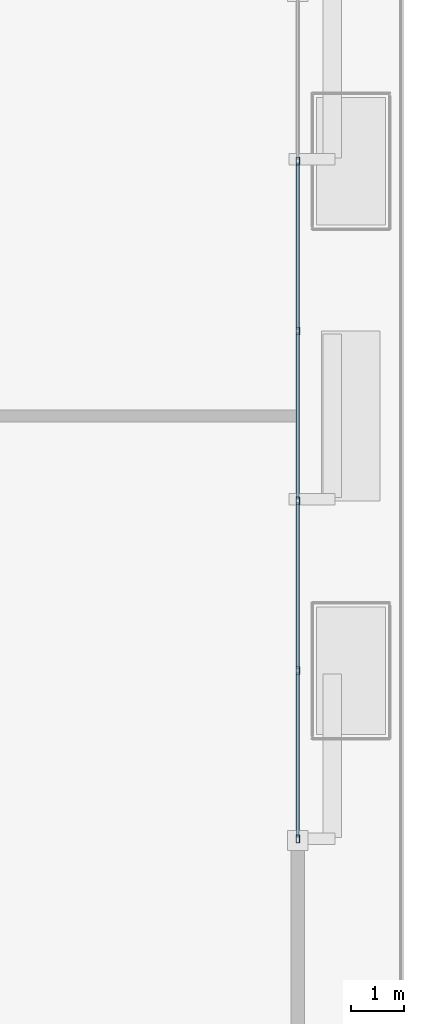
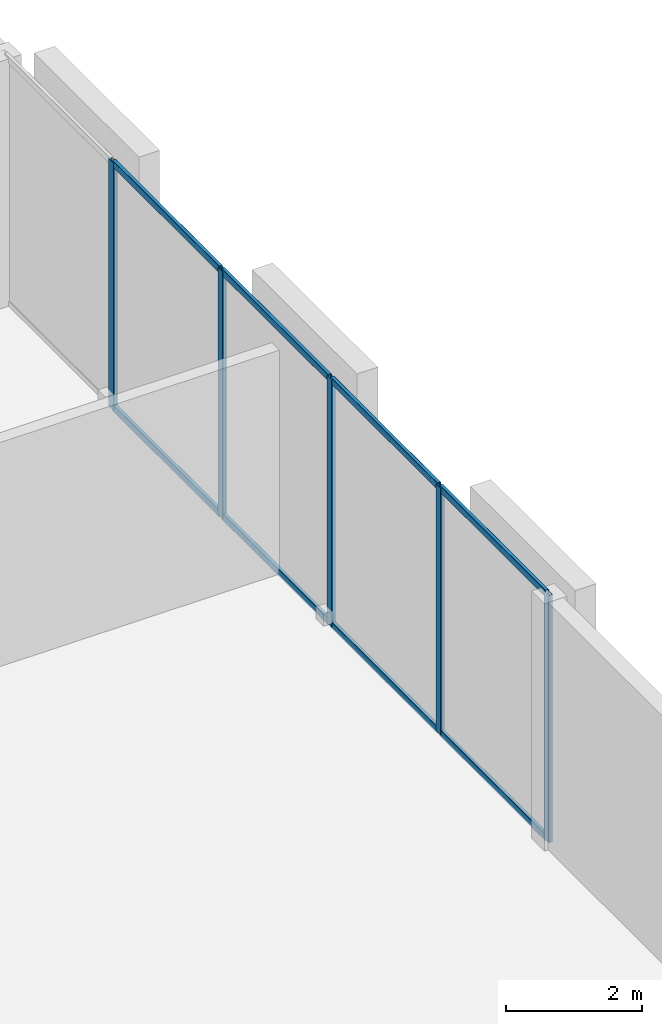
# One storey, part 6 of 16: 13 members, 1 element without a shape of its own.
"""IFC4 building model written with IfcOpenShell, lengths in metres."""

import ifcopenshell
import ifcopenshell.guid

model = None  # the IFC model being written
_history = None  # IfcOwnerHistory: only IFC2X3 demands one
_inside = {}  # id of a spatial element -> (the spatial element, [elements in it])
_under = {}  # id of a project, library or spatial element -> (it, [spatial elements below it])
_declared = {}  # id of a project -> (the project, [libraries it declares])
_typed = {}  # id of a type object -> (the type object, [elements of that type])
_made_of = {}  # id of a material, layer set ... -> (it, [elements and type objects made of it])


def new_model(schema):
    """Start an empty IFC model of exactly this schema.

    Asked for "IFC4X3", IfcOpenShell would pick the latest addendum, in which some entities
    have other attributes; the version numbers below select the first issue.
    IFC2X3 requires an IfcOwnerHistory on every rooted entity: one is made here for all.
    """
    global model, _history
    if schema == "IFC4X3":
        model = ifcopenshell.file(schema_version=(4, 3, 0, 0))
    else:
        model = ifcopenshell.file(schema=schema)
    _inside.clear()
    _under.clear()
    _declared.clear()
    _typed.clear()
    _made_of.clear()
    _history = None
    if model.schema == "IFC2X3":
        org = make("IfcOrganization", Name="unknown")
        user = make(
            "IfcPersonAndOrganization",
            ThePerson=make("IfcPerson", FamilyName="unknown"),
            TheOrganization=org,
        )
        app = make(
            "IfcApplication",
            ApplicationDeveloper=org,
            Version="unknown",
            ApplicationFullName="unknown",
            ApplicationIdentifier="unknown",
        )
        _history = make(
            "IfcOwnerHistory",
            OwningUser=user,
            OwningApplication=app,
            ChangeAction="ADDED",
            CreationDate=0,
        )
    return model


def make(cls, **values):
    """One entity of the class cls with the attributes given. An attribute that is None is left unset."""
    return model.create_entity(
        cls, **{name: value for name, value in values.items() if value is not None}
    )


def rooted(cls, **values):
    """An entity with a GlobalId (a new one), such as an element, a storey or a relation."""
    return make(cls, GlobalId=ifcopenshell.guid.new(), OwnerHistory=_history, **values)


def si_unit(unit_type, name, prefix=None):
    """IfcSIUnit, for example si_unit("LENGTHUNIT", "METRE", prefix="MILLI")."""
    return make("IfcSIUnit", UnitType=unit_type, Prefix=prefix, Name=name)


def assignment(units):
    """IfcUnitAssignment: the units of a project."""
    return None if units is None else make("IfcUnitAssignment", Units=units)


def point(xyz):
    """IfcCartesianPoint."""
    return None if xyz is None else make("IfcCartesianPoint", Coordinates=xyz)


def direction(xyz):
    """IfcDirection."""
    return None if xyz is None else make("IfcDirection", DirectionRatios=xyz)


def frame(location, z_axis=None, x_axis=None):
    """IfcAxis2Placement3D, a coordinate frame: its origin and axes. An axis left out is left unset."""
    return make(
        "IfcAxis2Placement3D",
        Location=point(location),
        Axis=direction(z_axis),
        RefDirection=direction(x_axis),
    )


def frame_2d(location, x_axis=None):
    """IfcAxis2Placement2D, a coordinate frame in the plane: its origin and x axis."""
    return make(
        "IfcAxis2Placement2D", Location=point(location), RefDirection=direction(x_axis)
    )


def origin():
    """The frame at (0, 0, 0) with its axes left unset."""
    return frame((0.0, 0.0, 0.0))


def origin_2d():
    """The frame at (0, 0) in the plane with its x axis left unset."""
    return frame_2d((0.0, 0.0))


def place(relative_to, where):
    """IfcLocalPlacement: puts the frame where relative to a parent placement (None: the world)."""
    return make(
        "IfcLocalPlacement", PlacementRelTo=relative_to, RelativePlacement=where
    )


def context(
    kind, dimensions, precision=None, world=None, true_north=None, identifier=None
):
    """IfcGeometricRepresentationContext, for example the 3D "Model" context."""
    return make(
        "IfcGeometricRepresentationContext",
        ContextIdentifier=identifier,
        ContextType=kind,
        CoordinateSpaceDimension=dimensions,
        Precision=precision,
        WorldCoordinateSystem=world,
        TrueNorth=true_north,
    )


def subcontext(parent, identifier, kind, view, scale=None):
    """IfcGeometricRepresentationSubContext, for example "Body" below "Model"."""
    return make(
        "IfcGeometricRepresentationSubContext",
        ContextIdentifier=identifier,
        ContextType=kind,
        ParentContext=parent,
        TargetScale=scale,
        TargetView=view,
    )


def project(units=None, contexts=None):
    """IfcProject with its units and contexts."""
    return rooted(
        "IfcProject",
        Name="project",
        RepresentationContexts=contexts,
        UnitsInContext=assignment(units),
    )


def spatial(cls, under=None, at=None, **own):
    """A site, building, storey or space (cls), placed at a placement, below another one or the project."""
    s = rooted(cls, ObjectPlacement=at, **own)
    if under is not None:
        _under.setdefault(under.id(), (under, []))[1].append(s)
    return s


def profile(cls, at=None, kind="AREA", **sizes):
    """A parametric profile (cls). Its sizes go by their IFC names, for example OverallWidth=200.0."""
    return make(cls, ProfileType=kind, Position=at, **sizes)


def hollow_rectangle(**sizes):
    """IfcRectangleHollowProfileDef."""
    return profile("IfcRectangleHollowProfileDef", **sizes)


def extrude(swept, where, along, depth):
    """IfcExtrudedAreaSolid: the profile swept, set in the frame where, extruded along a direction by depth."""
    return make(
        "IfcExtrudedAreaSolid",
        SweptArea=swept,
        Position=where,
        ExtrudedDirection=direction(along),
        Depth=depth,
    )


def shape(context_of_items, identifier, shape_type, items):
    """IfcShapeRepresentation: the items that make up one representation, for example the "Body"."""
    return make(
        "IfcShapeRepresentation",
        ContextOfItems=context_of_items,
        RepresentationIdentifier=identifier,
        RepresentationType=shape_type,
        Items=items,
    )


def material(Name=None, Category=None):
    """IfcMaterial."""
    return make("IfcMaterial", Name=Name, Category=Category)


def layer(
    of_material, thickness, ventilated=None, Name=None, Category=None, Priority=None
):
    """IfcMaterialLayer: one layer of a wall or slab, of a material (None: an air gap)."""
    return make(
        "IfcMaterialLayer",
        Material=of_material,
        LayerThickness=thickness,
        IsVentilated=ventilated,
        Name=Name,
        Category=Category,
        Priority=Priority,
    )


def layer_set(layers, Name=None):
    """IfcMaterialLayerSet."""
    return make("IfcMaterialLayerSet", MaterialLayers=layers, LayerSetName=Name)


def material_profile(
    of_material, cross_section, Name=None, Category=None, Priority=None
):
    """IfcMaterialProfile: a cross section and its material."""
    return make(
        "IfcMaterialProfile",
        Name=Name,
        Material=of_material,
        Profile=cross_section,
        Priority=Priority,
        Category=Category,
    )


def profile_set(profiles, Name=None, composite=None):
    """IfcMaterialProfileSet."""
    return make(
        "IfcMaterialProfileSet",
        Name=Name,
        MaterialProfiles=profiles,
        CompositeProfile=composite,
    )


def made_of(thing, what):
    """Note that an element or type object is made of a material, layer set ...; save() writes the relation."""
    if what is not None:
        _made_of.setdefault(what.id(), (what, []))[1].append(thing)
    return thing


def type_object(cls, material=None, **own):
    """A type object (cls), such as IfcWallType, which elements share."""
    return made_of(rooted(cls, **own), material)


def element(
    cls,
    number,
    at=None,
    inside=None,
    cuts=None,
    type_object=None,
    material=None,
    context=None,
    identifier="Body",
    shape_type=None,
    held_by="IfcProductDefinitionShape",
    body=None,
    shapes=None,
    **own,
):
    """One element of the class cls, such as IfcWall. Its Tag is "e" and its number.

    at: its placement. inside: the storey or other place that contains it. cuts: it is an
    opening in that element (IfcRelVoidsElement). A single representation is given by context,
    identifier, shape_type and body (its items); several are given by shapes. held_by: the class
    of the entity that holds the representations. save() writes the other relations.
    """
    e = rooted(cls, Tag="e%d" % number, ObjectPlacement=at, **own)
    if body is not None:
        shapes = [shape(context, identifier, shape_type, body)]
    if shapes is not None:
        e.Representation = make(held_by, Representations=shapes)
    if inside is not None:
        _inside.setdefault(inside.id(), (inside, []))[1].append(e)
    if cuts is not None:
        rooted(
            "IfcRelVoidsElement", RelatingBuildingElement=cuts, RelatedOpeningElement=e
        )
    if type_object is not None:
        _typed.setdefault(type_object.id(), (type_object, []))[1].append(e)
    return made_of(e, material)


def aggregate(whole, parts):
    """IfcRelAggregates: a whole, such as a stair, and the parts it consists of."""
    return rooted("IfcRelAggregates", RelatingObject=whole, RelatedObjects=parts)


def save(model, path):
    """Write the relations noted so far, then the file.

    IfcRelAggregates (storeys below a building ...), IfcRelContainedInSpatialStructure (elements
    in a storey), IfcRelDefinesByType, IfcRelAssociatesMaterial and IfcRelDeclares: one each for
    every whole, place, type object, material and project.
    """
    for whole, parts in _under.values():
        aggregate(whole, parts)
    for where, things in _inside.values():
        rooted(
            "IfcRelContainedInSpatialStructure",
            RelatedElements=things,
            RelatingStructure=where,
        )
    for kind, things in _typed.values():
        rooted("IfcRelDefinesByType", RelatedObjects=things, RelatingType=kind)
    for what, things in _made_of.values():
        rooted("IfcRelAssociatesMaterial", RelatedObjects=things, RelatingMaterial=what)
    for by, libraries in _declared.values():
        rooted("IfcRelDeclares", RelatingContext=by, RelatedDefinitions=libraries)
    model.write(path)


model = new_model("IFC4")

# Units and contexts
model_context = context("Model", 3, precision=1e-05, world=origin(), true_north=direction((0.0, 1.0)))
body_context = subcontext(model_context, "Body", "Model", "MODEL_VIEW")
ifc_project = project(units=[si_unit("LENGTHUNIT", "METRE"), si_unit("AREAUNIT", "SQUARE_METRE"), si_unit("VOLUMEUNIT", "CUBIC_METRE"), si_unit("PLANEANGLEUNIT", "RADIAN"), si_unit("MASSUNIT", "GRAM", prefix="KILO")], contexts=[model_context])

# Site, building, storey
site_placement = place(None, origin())
site = spatial("IfcSite", under=ifc_project, at=site_placement, CompositionType="ELEMENT")
building_placement = place(site_placement, origin())
building = spatial("IfcBuilding", under=site, at=building_placement, Name="An Khanh Terracotta Commons", CompositionType="ELEMENT")
storey_placement = place(building_placement, frame((0.0, 0.0, 10.050048828125)))
storey = spatial("IfcBuildingStorey", under=building, at=storey_placement, Name="L03", CompositionType="ELEMENT", Elevation=10.050048828125)

# Curtain wall, members
ifc_material = material(Name="Anodised Aluminium 6063-T6", Category="aluminium")
ifc_layer = layer(ifc_material, 0.179931640625, Name="Anodised Aluminium 6063-T6")
ifc_layer_set = layer_set([ifc_layer], Name="Anodised Aluminium 6063-T6")
curtain_wall_type = type_object("IfcCurtainWallType", Name="CW-SYS-01", PredefinedType="USERDEFINED", material=ifc_layer_set)
curtain_wall_placement = place(storey_placement, origin())
curtain_wall = element("IfcCurtainWall", 1, at=curtain_wall_placement, inside=storey, type_object=curtain_wall_type, Name="L03 CW-01 Unitised Curtain Wall CW-L03-EAST", ObjectType="UNITISED CURTAIN WALL", PredefinedType="USERDEFINED")
ifc_material_profile_1 = material_profile(ifc_material, hollow_rectangle(XDim=0.06494140625, YDim=0.14990234375, WallThickness=0.00390625, InnerFilletRadius=0.00390625, OuterFilletRadius=0.008056640625, at=origin_2d()), Name="RHS150x65x4")
ifc_profile_set_1 = profile_set([ifc_material_profile_1], Name="Anodised Aluminium 6063-T6")
member_type_1 = type_object("IfcMemberType", Name="CWM-RHS150x65x4", PredefinedType="MULLION", material=ifc_profile_set_1)
member_1_placement = place(storey_placement, frame((69.800048828125, 16.032470703125, 0.0), z_axis=(0.0, 0.0, 1.0), x_axis=(-1.0, 0.0, 0.0)))
member_1 = element("IfcMember", 2, at=member_1_placement, type_object=member_type_1, Name="CW-01 mullion 1", PredefinedType="MULLION", context=body_context, shape_type="SweptSolid", body=[
    extrude(hollow_rectangle(XDim=0.06494140625, YDim=0.14990234375, WallThickness=0.00390625, InnerFilletRadius=0.00390625, OuterFilletRadius=0.008056640625, at=origin_2d()), origin(), (0.0, 0.0, 1.0), 4.429931640625),
])
member_2_placement = place(storey_placement, frame((69.800048828125, 19.199951171875, 0.0), z_axis=(0.0, 0.0, 1.0), x_axis=(-1.0, 0.0, 0.0)))
member_2 = element("IfcMember", 3, at=member_2_placement, type_object=member_type_1, Name="CW-01 mullion 2", PredefinedType="MULLION", context=body_context, shape_type="SweptSolid", body=[
    extrude(hollow_rectangle(XDim=0.06494140625, YDim=0.14990234375, WallThickness=0.00390625, InnerFilletRadius=0.00390625, OuterFilletRadius=0.008056640625, at=origin_2d()), origin(), (0.0, 0.0, 1.0), 4.429931640625),
])
member_3_placement = place(storey_placement, frame((69.800048828125, 22.39990234375, 0.0), z_axis=(0.0, 0.0, 1.0), x_axis=(-1.0, 0.0, 0.0)))
member_3 = element("IfcMember", 4, at=member_3_placement, type_object=member_type_1, Name="CW-01 mullion 3", PredefinedType="MULLION", context=body_context, shape_type="SweptSolid", body=[
    extrude(hollow_rectangle(XDim=0.06494140625, YDim=0.14990234375, WallThickness=0.00390625, InnerFilletRadius=0.00390625, OuterFilletRadius=0.008056640625, at=origin_2d()), origin(), (0.0, 0.0, 1.0), 4.429931640625),
])
member_4_placement = place(storey_placement, frame((69.800048828125, 25.60009765625, 0.0), z_axis=(0.0, 0.0, 1.0), x_axis=(-1.0, 0.0, 0.0)))
member_4 = element("IfcMember", 5, at=member_4_placement, type_object=member_type_1, Name="CW-01 mullion 4", PredefinedType="MULLION", context=body_context, shape_type="SweptSolid", body=[
    extrude(hollow_rectangle(XDim=0.06494140625, YDim=0.14990234375, WallThickness=0.00390625, InnerFilletRadius=0.00390625, OuterFilletRadius=0.008056640625, at=origin_2d()), origin(), (0.0, 0.0, 1.0), 4.429931640625),
])
member_5_placement = place(storey_placement, frame((69.800048828125, 28.800048828125, 0.0), z_axis=(0.0, 0.0, 1.0), x_axis=(-1.0, 0.0, 0.0)))
member_5 = element("IfcMember", 6, at=member_5_placement, type_object=member_type_1, Name="CW-01 mullion 5", PredefinedType="MULLION", context=body_context, shape_type="SweptSolid", body=[
    extrude(hollow_rectangle(XDim=0.06494140625, YDim=0.14990234375, WallThickness=0.00390625, InnerFilletRadius=0.00390625, OuterFilletRadius=0.008056640625, at=origin_2d()), origin(), (0.0, 0.0, 1.0), 4.429931640625),
])
ifc_material_profile_2 = material_profile(ifc_material, hollow_rectangle(XDim=0.06005859375, YDim=0.1201171875, WallThickness=0.003662109375, InnerFilletRadius=0.003662109375, OuterFilletRadius=0.007080078125, at=origin_2d()), Name="RHS120x60x3.6")
ifc_profile_set_2 = profile_set([ifc_material_profile_2], Name="Anodised Aluminium 6063-T6")
member_type_2 = type_object("IfcMemberType", Name="CWT-RHS120x60x3.6", PredefinedType="USERDEFINED", material=ifc_profile_set_2)
member_6_placement = place(storey_placement, frame((69.800048828125, 16.06494140625, 0.030029296875), z_axis=(0.0, 1.0, 0.0), x_axis=(-1.0, 0.0, 0.0)))
member_6 = element("IfcMember", 7, at=member_6_placement, type_object=member_type_2, Name="CW-01 transom 1.1", ObjectType="TRANSOM", PredefinedType="USERDEFINED", context=body_context, shape_type="SweptSolid", body=[
    extrude(hollow_rectangle(XDim=0.06005859375, YDim=0.1201171875, WallThickness=0.003662109375, InnerFilletRadius=0.003662109375, OuterFilletRadius=0.007080078125, at=origin_2d()), origin(), (0.0, 0.0, 1.0), 3.1025390625),
])
member_7_placement = place(storey_placement, frame((69.800048828125, 16.06494140625, 4.39990234375), z_axis=(0.0, 1.0, 0.0), x_axis=(-1.0, 0.0, 0.0)))
member_7 = element("IfcMember", 8, at=member_7_placement, type_object=member_type_2, Name="CW-01 transom 1.2", ObjectType="TRANSOM", PredefinedType="USERDEFINED", context=body_context, shape_type="SweptSolid", body=[
    extrude(hollow_rectangle(XDim=0.06005859375, YDim=0.1201171875, WallThickness=0.003662109375, InnerFilletRadius=0.003662109375, OuterFilletRadius=0.007080078125, at=origin_2d()), origin(), (0.0, 0.0, 1.0), 3.1025390625),
])
member_8_placement = place(storey_placement, frame((69.800048828125, 19.232421875, 0.030029296875), z_axis=(0.0, 1.0, 0.0), x_axis=(-1.0, 0.0, 0.0)))
member_8 = element("IfcMember", 9, at=member_8_placement, type_object=member_type_2, Name="CW-01 transom 2.1", ObjectType="TRANSOM", PredefinedType="USERDEFINED", context=body_context, shape_type="SweptSolid", body=[
    extrude(hollow_rectangle(XDim=0.06005859375, YDim=0.1201171875, WallThickness=0.003662109375, InnerFilletRadius=0.003662109375, OuterFilletRadius=0.007080078125, at=origin_2d()), origin(), (0.0, 0.0, 1.0), 3.135009765625),
])
member_9_placement = place(storey_placement, frame((69.800048828125, 19.232421875, 4.39990234375), z_axis=(0.0, 1.0, 0.0), x_axis=(-1.0, 0.0, 0.0)))
member_9 = element("IfcMember", 10, at=member_9_placement, type_object=member_type_2, Name="CW-01 transom 2.2", ObjectType="TRANSOM", PredefinedType="USERDEFINED", context=body_context, shape_type="SweptSolid", body=[
    extrude(hollow_rectangle(XDim=0.06005859375, YDim=0.1201171875, WallThickness=0.003662109375, InnerFilletRadius=0.003662109375, OuterFilletRadius=0.007080078125, at=origin_2d()), origin(), (0.0, 0.0, 1.0), 3.135009765625),
])
member_10_placement = place(storey_placement, frame((69.800048828125, 22.4326171875, 0.030029296875), z_axis=(0.0, 1.0, 0.0), x_axis=(-1.0, 0.0, 0.0)))
member_10 = element("IfcMember", 11, at=member_10_placement, type_object=member_type_2, Name="CW-01 transom 3.1", ObjectType="TRANSOM", PredefinedType="USERDEFINED", context=body_context, shape_type="SweptSolid", body=[
    extrude(hollow_rectangle(XDim=0.06005859375, YDim=0.1201171875, WallThickness=0.003662109375, InnerFilletRadius=0.003662109375, OuterFilletRadius=0.007080078125, at=origin_2d()), origin(), (0.0, 0.0, 1.0), 3.134765625),
])
member_11_placement = place(storey_placement, frame((69.800048828125, 22.4326171875, 4.39990234375), z_axis=(0.0, 1.0, 0.0), x_axis=(-1.0, 0.0, 0.0)))
member_11 = element("IfcMember", 12, at=member_11_placement, type_object=member_type_2, Name="CW-01 transom 3.2", ObjectType="TRANSOM", PredefinedType="USERDEFINED", context=body_context, shape_type="SweptSolid", body=[
    extrude(hollow_rectangle(XDim=0.06005859375, YDim=0.1201171875, WallThickness=0.003662109375, InnerFilletRadius=0.003662109375, OuterFilletRadius=0.007080078125, at=origin_2d()), origin(), (0.0, 0.0, 1.0), 3.134765625),
])
member_12_placement = place(storey_placement, frame((69.800048828125, 25.632568359375, 0.030029296875), z_axis=(0.0, 1.0, 0.0), x_axis=(-1.0, 0.0, 0.0)))
member_12 = element("IfcMember", 13, at=member_12_placement, type_object=member_type_2, Name="CW-01 transom 4.1", ObjectType="TRANSOM", PredefinedType="USERDEFINED", context=body_context, shape_type="SweptSolid", body=[
    extrude(hollow_rectangle(XDim=0.06005859375, YDim=0.1201171875, WallThickness=0.003662109375, InnerFilletRadius=0.003662109375, OuterFilletRadius=0.007080078125, at=origin_2d()), origin(), (0.0, 0.0, 1.0), 3.135009765625),
])
member_13_placement = place(storey_placement, frame((69.800048828125, 25.632568359375, 4.39990234375), z_axis=(0.0, 1.0, 0.0), x_axis=(-1.0, 0.0, 0.0)))
member_13 = element("IfcMember", 14, at=member_13_placement, type_object=member_type_2, Name="CW-01 transom 4.2", ObjectType="TRANSOM", PredefinedType="USERDEFINED", context=body_context, shape_type="SweptSolid", body=[
    extrude(hollow_rectangle(XDim=0.06005859375, YDim=0.1201171875, WallThickness=0.003662109375, InnerFilletRadius=0.003662109375, OuterFilletRadius=0.007080078125, at=origin_2d()), origin(), (0.0, 0.0, 1.0), 3.135009765625),
])
aggregate(curtain_wall, [member_1, member_2, member_3, member_4, member_5, member_6, member_7, member_8, member_9, member_10, member_11, member_12, member_13])

save(model, "model.ifc")
